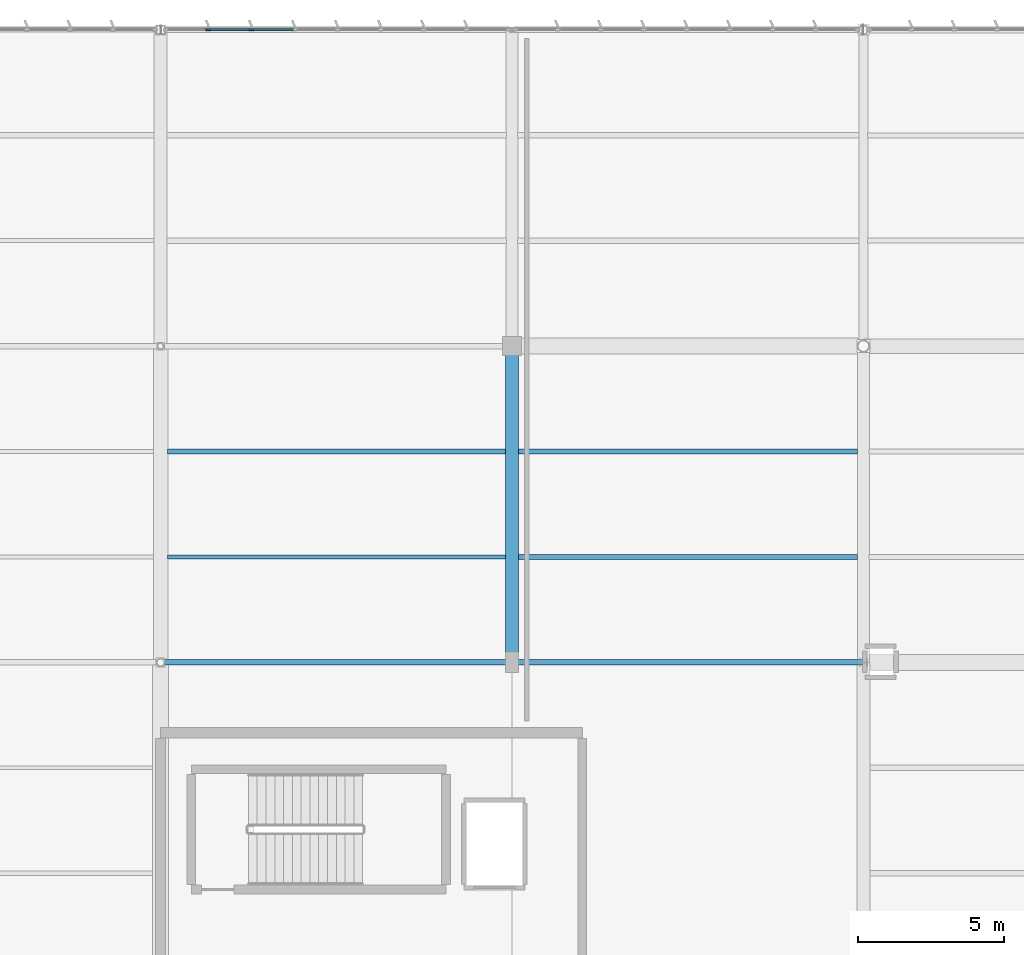
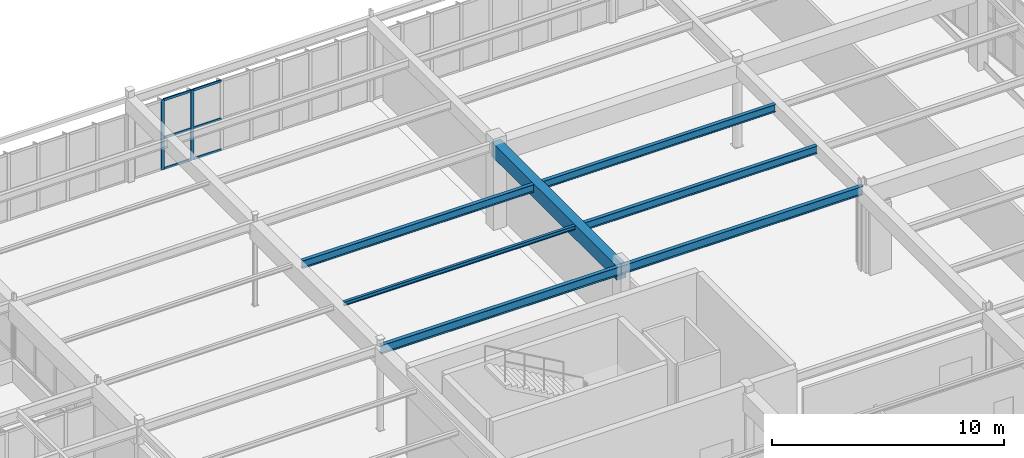
# One storey, part 129 of 226: 8 members, 7 beams, 1 element without a shape of its own.
"""IFC4 building model written with IfcOpenShell, lengths in metres."""

from ifc_helpers import new_model, si_unit, direction, frame, origin, origin_2d, place, context, subcontext, project, spatial, rectangle, i_section, extrude, material, layer, layer_set, material_profile, profile_set, type_object, element, aggregate, save


model = new_model("IFC4")

# Units and contexts
model_context = context("Model", 3, precision=1e-05, world=origin(), true_north=direction((0.0, 1.0)))
body_context = subcontext(model_context, "Body", "Model", "MODEL_VIEW")
ifc_project = project(units=[si_unit("LENGTHUNIT", "METRE"), si_unit("AREAUNIT", "SQUARE_METRE"), si_unit("VOLUMEUNIT", "CUBIC_METRE"), si_unit("PLANEANGLEUNIT", "RADIAN"), si_unit("MASSUNIT", "GRAM", prefix="KILO")], contexts=[model_context])

# Site, building, storey
site_placement = place(None, origin())
site = spatial("IfcSite", under=ifc_project, at=site_placement, CompositionType="ELEMENT")
building_placement = place(site_placement, origin())
building = spatial("IfcBuilding", under=site, at=building_placement, Name="Tarnwether General Hospital", CompositionType="ELEMENT")
storey_placement = place(building_placement, frame((0.0, 0.0, 4.800048828125)))
storey = spatial("IfcBuildingStorey", under=building, at=storey_placement, Name="L01", CompositionType="ELEMENT", Elevation=4.800048828125)

# Beams
ifc_material_1 = material(Name="Steel Grade 350 (350 MPa)", Category="steel")
ifc_material_profile_1 = material_profile(ifc_material_1, i_section(OverallWidth=0.18994140625, OverallDepth=0.45703125, WebThickness=0.009033203125, FlangeThickness=0.014404296875, at=origin_2d()), Name="460UB74.6")
ifc_profile_set_1 = profile_set([ifc_material_profile_1], Name="Steel Grade 350 (350 MPa)")
beam_type_1 = type_object("IfcBeamType", Name="BM-G09", PredefinedType="BEAM", material=ifc_profile_set_1)
beam_1_placement = place(storey_placement, frame((156.0, 104.39990234375, 4.216552734375), z_axis=(1.0, 0.0, 0.0), x_axis=(0.0, 1.0, 0.0)))
element("IfcBeam", 1, at=beam_1_placement, inside=storey, type_object=beam_type_1, Name="Primary Girder BMG-L01-15600_10440-16800_10440-1244", PredefinedType="BEAM", context=body_context, shape_type="SweptSolid", body=[
    extrude(i_section(OverallWidth=0.18994140625, OverallDepth=0.45703125, WebThickness=0.009033203125, FlangeThickness=0.014404296875, at=origin_2d()), origin(), (0.0, 0.0, 1.0), 12.0),
])
ifc_material_2 = material(Name="Steel Grade 350 (350 MPa)", Category="steel")
ifc_material_profile_2 = material_profile(ifc_material_2, i_section(OverallWidth=0.18994140625, OverallDepth=0.4541015625, WebThickness=0.008544921875, FlangeThickness=0.0126953125, at=origin_2d()), Name="460UB67.1")
ifc_profile_set_2 = profile_set([ifc_material_profile_2], Name="Steel Grade 350 (350 MPa)")
beam_type_2 = type_object("IfcBeamType", Name="BM-G10", PredefinedType="BEAM", material=ifc_profile_set_2)
beam_2_placement = place(storey_placement, frame((168.0, 104.39990234375, 4.218017578125), z_axis=(1.0, 0.0, 0.0), x_axis=(0.0, 1.0, 0.0)))
element("IfcBeam", 2, at=beam_2_placement, inside=storey, type_object=beam_type_2, Name="Primary Girder BMG-L01-16800_10440-18000_10440-1260", PredefinedType="BEAM", context=body_context, shape_type="SweptSolid", body=[
    extrude(i_section(OverallWidth=0.18994140625, OverallDepth=0.4541015625, WebThickness=0.008544921875, FlangeThickness=0.0126953125, at=origin_2d()), origin(), (0.0, 0.0, 1.0), 12.0),
])
ifc_material_3 = material(Name="Concrete 40 MPa", Category="concrete")
ifc_material_profile_3 = material_profile(ifc_material_3, rectangle(XDim=0.449951171875, YDim=0.75, at=origin_2d()), Name="RC-BM-450x750")
ifc_profile_set_3 = profile_set([ifc_material_profile_3], Name="Concrete 40 MPa")
beam_type_3 = type_object("IfcBeamType", Name="BM-G13", PredefinedType="BEAM", material=ifc_profile_set_3)
beam_3_placement = place(storey_placement, frame((168.0, 104.39990234375, 4.070068359375), z_axis=(0.0, 1.0, 0.0), x_axis=(-1.0, 0.0, 0.0)))
element("IfcBeam", 3, at=beam_3_placement, inside=storey, type_object=beam_type_3, Name="Primary Girder BMG-L01-16800_10440-16800_11520-1261", PredefinedType="BEAM", context=body_context, shape_type="SweptSolid", body=[
    extrude(rectangle(XDim=0.449951171875, YDim=0.75, at=origin_2d()), origin(), (0.0, 0.0, 1.0), 10.800048828125),
])
ifc_material_4 = material(Name="Steel Grade 350 (350 MPa)", Category="steel")
ifc_material_profile_4 = material_profile(ifc_material_4, i_section(OverallWidth=0.177978515625, OverallDepth=0.406005859375, WebThickness=0.0078125, FlangeThickness=0.0126953125, at=origin_2d()), Name="410UB59.7")
ifc_profile_set_4 = profile_set([ifc_material_profile_4], Name="Steel Grade 350 (350 MPa)")
beam_type_4 = type_object("IfcBeamType", Name="BM-J01", PredefinedType="JOIST", material=ifc_profile_set_4)
beam_4_placement = place(storey_placement, frame((156.243896484375, 111.60009765625, 4.241943359375), z_axis=(1.0, 0.0, 0.0), x_axis=(0.0, 1.0, 0.0)))
element("IfcBeam", 4, at=beam_4_placement, inside=storey, type_object=beam_type_4, Name="Composite Floor Joist BMG-L01-15624_11160-16778_11160-1410", PredefinedType="JOIST", context=body_context, shape_type="SweptSolid", body=[
    extrude(i_section(OverallWidth=0.177978515625, OverallDepth=0.406005859375, WebThickness=0.0078125, FlangeThickness=0.0126953125, at=origin_2d()), origin(), (0.0, 0.0, 1.0), 11.537109375),
])
beam_5_placement = place(storey_placement, frame((168.218994140625, 108.0, 4.241943359375), z_axis=(1.0, 0.0, 0.0), x_axis=(0.0, 1.0, 0.0)))
element("IfcBeam", 5, at=beam_5_placement, inside=storey, type_object=beam_type_4, Name="Composite Floor Joist BMG-L01-16822_10800-17981_10800-1421", PredefinedType="JOIST", context=body_context, shape_type="SweptSolid", body=[
    extrude(i_section(OverallWidth=0.177978515625, OverallDepth=0.406005859375, WebThickness=0.0078125, FlangeThickness=0.0126953125, at=origin_2d()), origin(), (0.0, 0.0, 1.0), 11.5869140625),
])
ifc_material_5 = material(Name="Steel Grade 350 (350 MPa)", Category="steel")
ifc_material_profile_5 = material_profile(ifc_material_5, i_section(OverallWidth=0.177978515625, OverallDepth=0.403076171875, WebThickness=0.007568359375, FlangeThickness=0.010986328125, at=origin_2d()), Name="410UB53.7")
ifc_profile_set_5 = profile_set([ifc_material_profile_5], Name="Steel Grade 350 (350 MPa)")
beam_type_5 = type_object("IfcBeamType", Name="BM-J02", PredefinedType="JOIST", material=ifc_profile_set_5)
beam_6_placement = place(storey_placement, frame((168.218994140625, 111.60009765625, 4.243408203125), z_axis=(1.0, 0.0, 0.0), x_axis=(0.0, 1.0, 0.0)))
element("IfcBeam", 6, at=beam_6_placement, inside=storey, type_object=beam_type_5, Name="Composite Floor Joist BMG-L01-16822_11160-17981_11160-1422", PredefinedType="JOIST", context=body_context, shape_type="SweptSolid", body=[
    extrude(i_section(OverallWidth=0.177978515625, OverallDepth=0.403076171875, WebThickness=0.007568359375, FlangeThickness=0.010986328125, at=origin_2d()), origin(), (0.0, 0.0, 1.0), 11.5869140625),
])
ifc_material_6 = material(Name="Steel Grade 350 (350 MPa)", Category="steel")
ifc_material_profile_6 = material_profile(ifc_material_6, i_section(OverallWidth=0.134033203125, OverallDepth=0.20703125, WebThickness=0.00634765625, FlangeThickness=0.009521484375, at=origin_2d()), Name="200UB29.8")
ifc_profile_set_6 = profile_set([ifc_material_profile_6], Name="Steel Grade 350 (350 MPa)")
beam_type_6 = type_object("IfcBeamType", Name="BM-J12", PredefinedType="JOIST", material=ifc_profile_set_6)
beam_7_placement = place(storey_placement, frame((156.243896484375, 108.0, 4.341552734375), z_axis=(1.0, 0.0, 0.0), x_axis=(0.0, 1.0, 0.0)))
element("IfcBeam", 7, at=beam_7_placement, inside=storey, type_object=beam_type_6, Name="Composite Floor Joist BMG-L01-15624_10800-16778_10800-1409", PredefinedType="JOIST", context=body_context, shape_type="SweptSolid", body=[
    extrude(i_section(OverallWidth=0.134033203125, OverallDepth=0.20703125, WebThickness=0.00634765625, FlangeThickness=0.009521484375, at=origin_2d()), origin(), (0.0, 0.0, 1.0), 11.537109375),
])

# Curtain wall, members
ifc_material_7 = material(Name="Anodised aluminium", Category="aluminium")
ifc_layer = layer(ifc_material_7, 0.159912109375)
ifc_layer_set = layer_set([ifc_layer], Name="Anodised aluminium")
curtain_wall_type = type_object("IfcCurtainWallType", Name="CW-16", PredefinedType="NOTDEFINED", material=ifc_layer_set)
curtain_wall_placement = place(storey_placement, origin())
curtain_wall = element("IfcCurtainWall", 8, at=curtain_wall_placement, inside=storey, type_object=curtain_wall_type, Name="Curtain Wall CWG-L01-1562_1260-0390", PredefinedType="NOTDEFINED")
ifc_material_8 = material(Name="Anodised aluminium", Category="aluminium")
ifc_material_profile_7 = material_profile(ifc_material_8, rectangle(XDim=0.06005859375, YDim=0.159912109375, at=origin_2d()), Name="ALU-MUL-60x160")
ifc_profile_set_7 = profile_set([ifc_material_profile_7], Name="Anodised aluminium")
member_type_1 = type_object("IfcMemberType", Name="CW-ML1", PredefinedType="MULLION", material=ifc_profile_set_7)
member_1_placement = place(storey_placement, frame((157.627685546875, 126.0, 0.0), z_axis=(0.0, 0.0, 1.0), x_axis=(0.0, 1.0, 0.0)))
member_1 = element("IfcMember", 9, at=member_1_placement, type_object=member_type_1, Name="CW-16 mullion 2", PredefinedType="MULLION", context=body_context, shape_type="SweptSolid", body=[
    extrude(rectangle(XDim=0.06005859375, YDim=0.159912109375, at=origin_2d()), origin(), (0.0, 0.0, 1.0), 3.679931640625),
])
member_2_placement = place(storey_placement, frame((159.09716796875, 126.0, 0.0), z_axis=(0.0, 0.0, 1.0), x_axis=(0.0, 1.0, 0.0)))
member_2 = element("IfcMember", 10, at=member_2_placement, type_object=member_type_1, Name="CW-16 mullion 3", PredefinedType="MULLION", context=body_context, shape_type="SweptSolid", body=[
    extrude(rectangle(XDim=0.06005859375, YDim=0.159912109375, at=origin_2d()), origin(), (0.0, 0.0, 1.0), 3.679931640625),
])
ifc_material_9 = material(Name="Anodised aluminium", Category="aluminium")
ifc_material_profile_8 = material_profile(ifc_material_9, rectangle(XDim=0.06005859375, YDim=0.1201171875, at=origin_2d()), Name="ALU-TRN-60x120")
ifc_profile_set_8 = profile_set([ifc_material_profile_8], Name="Anodised aluminium")
member_type_2 = type_object("IfcMemberType", Name="CW-TR1", PredefinedType="USERDEFINED", material=ifc_profile_set_8)
member_3_placement = place(storey_placement, frame((157.65771484375, 126.0, 0.030029296875), z_axis=(1.0, 0.0, 0.0), x_axis=(0.0, 1.0, 0.0)))
member_3 = element("IfcMember", 11, at=member_3_placement, type_object=member_type_2, Name="CW-16 transom 2.1", ObjectType="TRANSOM", PredefinedType="USERDEFINED", context=body_context, shape_type="SweptSolid", body=[
    extrude(rectangle(XDim=0.06005859375, YDim=0.1201171875, at=origin_2d()), origin(), (0.0, 0.0, 1.0), 1.409423828125),
])
member_4_placement = place(storey_placement, frame((157.65771484375, 126.0, 1.656005859375), z_axis=(1.0, 0.0, 0.0), x_axis=(0.0, 1.0, 0.0)))
member_4 = element("IfcMember", 12, at=member_4_placement, type_object=member_type_2, Name="CW-16 transom 2.2", ObjectType="TRANSOM", PredefinedType="USERDEFINED", context=body_context, shape_type="SweptSolid", body=[
    extrude(rectangle(XDim=0.06005859375, YDim=0.1201171875, at=origin_2d()), origin(), (0.0, 0.0, 1.0), 1.409423828125),
])
member_5_placement = place(storey_placement, frame((157.65771484375, 126.0, 3.64990234375), z_axis=(1.0, 0.0, 0.0), x_axis=(0.0, 1.0, 0.0)))
member_5 = element("IfcMember", 13, at=member_5_placement, type_object=member_type_2, Name="CW-16 transom 2.3", ObjectType="TRANSOM", PredefinedType="USERDEFINED", context=body_context, shape_type="SweptSolid", body=[
    extrude(rectangle(XDim=0.06005859375, YDim=0.1201171875, at=origin_2d()), origin(), (0.0, 0.0, 1.0), 1.409423828125),
])
member_6_placement = place(storey_placement, frame((159.127197265625, 126.0, 0.030029296875), z_axis=(1.0, 0.0, 0.0), x_axis=(0.0, 1.0, 0.0)))
member_6 = element("IfcMember", 14, at=member_6_placement, type_object=member_type_2, Name="CW-16 transom 3.1", ObjectType="TRANSOM", PredefinedType="USERDEFINED", context=body_context, shape_type="SweptSolid", body=[
    extrude(rectangle(XDim=0.06005859375, YDim=0.1201171875, at=origin_2d()), origin(), (0.0, 0.0, 1.0), 1.40966796875),
])
member_7_placement = place(storey_placement, frame((159.127197265625, 126.0, 1.656005859375), z_axis=(1.0, 0.0, 0.0), x_axis=(0.0, 1.0, 0.0)))
member_7 = element("IfcMember", 15, at=member_7_placement, type_object=member_type_2, Name="CW-16 transom 3.2", ObjectType="TRANSOM", PredefinedType="USERDEFINED", context=body_context, shape_type="SweptSolid", body=[
    extrude(rectangle(XDim=0.06005859375, YDim=0.1201171875, at=origin_2d()), origin(), (0.0, 0.0, 1.0), 1.40966796875),
])
member_8_placement = place(storey_placement, frame((159.127197265625, 126.0, 3.64990234375), z_axis=(1.0, 0.0, 0.0), x_axis=(0.0, 1.0, 0.0)))
member_8 = element("IfcMember", 16, at=member_8_placement, type_object=member_type_2, Name="CW-16 transom 3.3", ObjectType="TRANSOM", PredefinedType="USERDEFINED", context=body_context, shape_type="SweptSolid", body=[
    extrude(rectangle(XDim=0.06005859375, YDim=0.1201171875, at=origin_2d()), origin(), (0.0, 0.0, 1.0), 1.40966796875),
])
aggregate(curtain_wall, [member_1, member_2, member_3, member_4, member_5, member_6, member_7, member_8])

save(model, "model.ifc")
